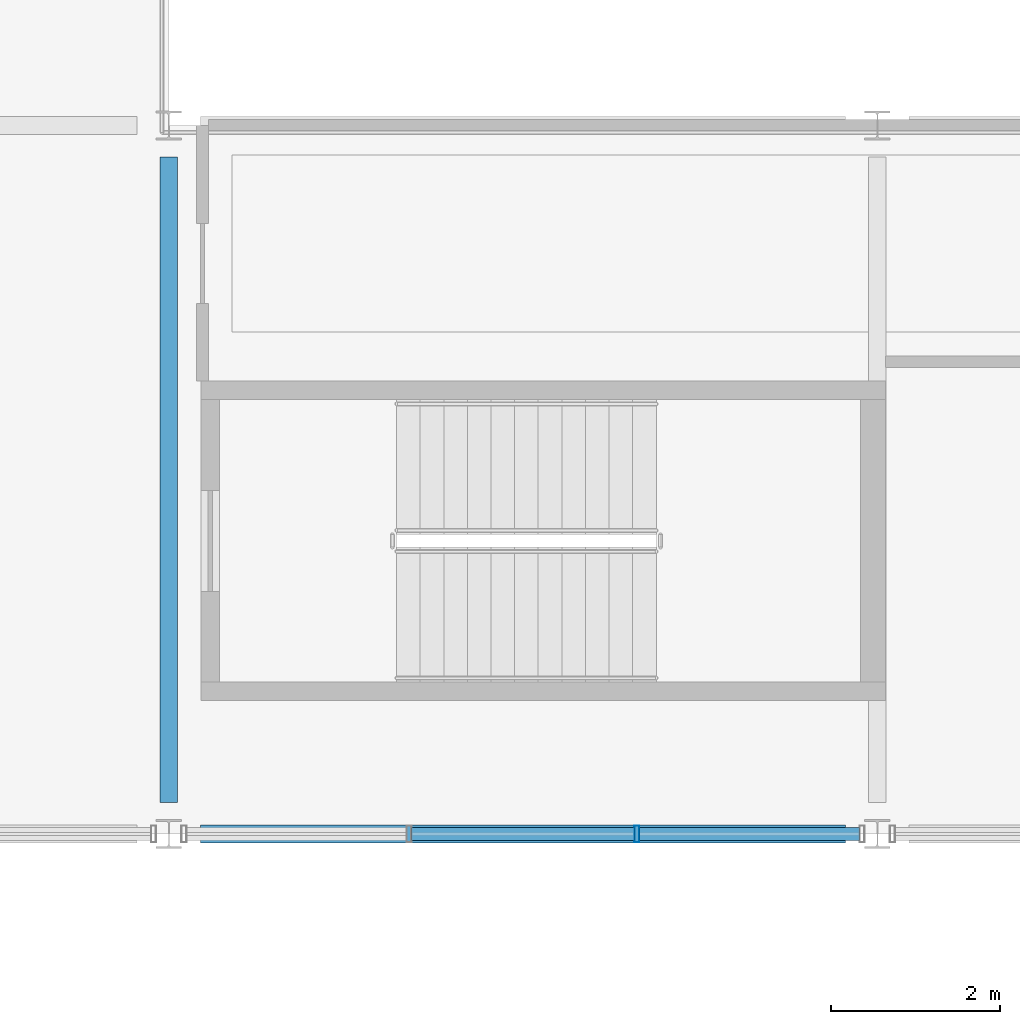
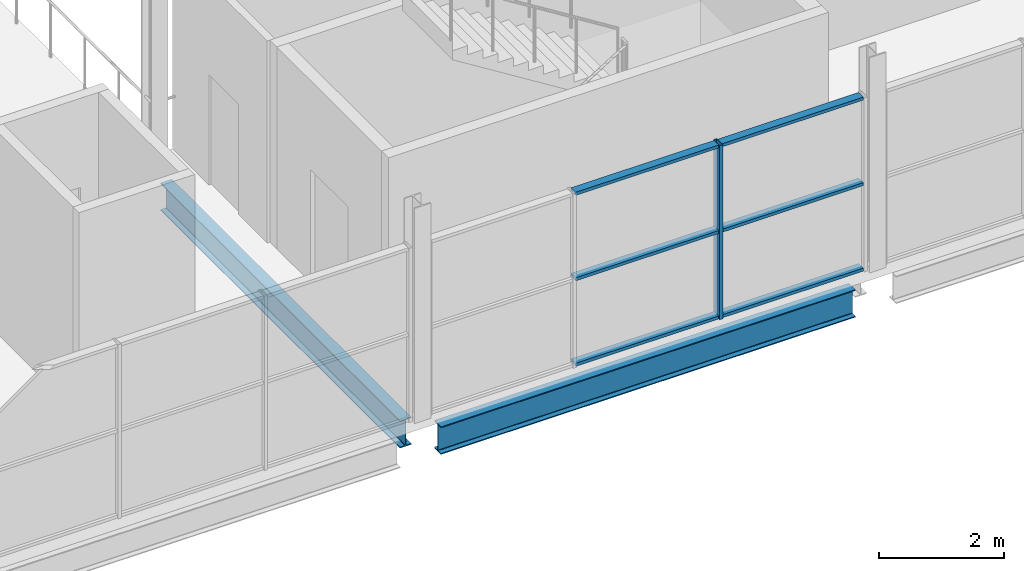
# One storey, part 23 of 161: 7 members, 2 beams, 1 element without a shape of its own.
"""IFC4 building model written with IfcOpenShell, lengths in metres."""

from ifc_helpers import new_model, si_unit, direction, frame, origin, origin_2d, place, context, subcontext, project, spatial, hollow_rectangle, i_section, extrude, material, material_profile, profile_set, type_object, element, aggregate, save


model = new_model("IFC4")

# Units and contexts
model_context = context("Model", 3, precision=1e-05, world=origin(), true_north=direction((0.0, 1.0)))
body_context = subcontext(model_context, "Body", "Model", "MODEL_VIEW")
ifc_project = project(units=[si_unit("LENGTHUNIT", "METRE"), si_unit("AREAUNIT", "SQUARE_METRE"), si_unit("VOLUMEUNIT", "CUBIC_METRE"), si_unit("PLANEANGLEUNIT", "RADIAN"), si_unit("MASSUNIT", "GRAM", prefix="KILO"), si_unit("THERMODYNAMICTEMPERATUREUNIT", "KELVIN")], contexts=[model_context])

# Site, building, storey
site_placement = place(None, origin())
site = spatial("IfcSite", under=ifc_project, at=site_placement, CompositionType="ELEMENT")
building_placement = place(site_placement, origin())
building = spatial("IfcBuilding", under=site, at=building_placement, Name="Nduvali Passage Aquatics Centre", CompositionType="ELEMENT")
storey_placement = place(building_placement, frame((0.0, 0.0, 4.800048828125)))
storey = spatial("IfcBuildingStorey", under=building, at=storey_placement, Name="L01", CompositionType="ELEMENT", Elevation=4.800048828125)

# Curtain wall, members
ifc_material_1 = material(Name="Aluminium EN AW-6063 T6", Category="aluminium")
curtain_wall_type = type_object("IfcCurtainWallType", Name="ENV-CW-DIVE", PredefinedType="NOTDEFINED", material=ifc_material_1)
curtain_wall_placement = place(storey_placement, origin())
curtain_wall = element("IfcCurtainWall", 1, at=curtain_wall_placement, inside=storey, type_object=curtain_wall_type, Name="L01 Diving Gallery Clerestory CW 149", PredefinedType="NOTDEFINED")
ifc_material_profile_1 = material_profile(ifc_material_1, hollow_rectangle(XDim=0.06005859375, YDim=0.199951171875, WallThickness=0.00390625, at=origin_2d()), Name="ALU MULLION 60x200x4")
ifc_profile_set_1 = profile_set([ifc_material_profile_1], Name="Aluminium EN AW-6063 T6")
member_type_1 = type_object("IfcMemberType", Name="ENV-MEM-MUL80", PredefinedType="MULLION", material=ifc_profile_set_1)
member_1_placement = place(storey_placement, frame((13.949951171875, 33.60009765625, 0.0), z_axis=(0.0, 0.0, 1.0), x_axis=(1.0, 0.0, 0.0)))
member_1 = element("IfcMember", 2, at=member_1_placement, type_object=member_type_1, Name="Diving Gallery Clerestory CW Mullion 3", PredefinedType="MULLION", context=body_context, shape_type="SweptSolid", body=[
    extrude(hollow_rectangle(XDim=0.06005859375, YDim=0.199951171875, WallThickness=0.00390625, at=origin_2d()), origin(), (0.0, 0.0, 1.0), 3.396484375),
])
ifc_material_profile_2 = material_profile(ifc_material_1, hollow_rectangle(XDim=0.14990234375, YDim=0.06005859375, WallThickness=0.00390625, at=origin_2d()), Name="ALU TRANSOM 150x60x4")
ifc_profile_set_2 = profile_set([ifc_material_profile_2], Name="Aluminium EN AW-6063 T6")
member_type_2 = type_object("IfcMemberType", Name="ENV-MEM-TRN80", PredefinedType="USERDEFINED", material=ifc_profile_set_2)
member_2_placement = place(storey_placement, frame((11.280029296875, 33.60009765625, 0.030029296875), z_axis=(1.0, 0.0, 0.0), x_axis=(0.0, 1.0, 0.0)))
member_2 = element("IfcMember", 3, at=member_2_placement, type_object=member_type_2, Name="Diving Gallery Clerestory CW Transom B2-R0", ObjectType="TRANSOM", PredefinedType="USERDEFINED", context=body_context, shape_type="SweptSolid", body=[
    extrude(hollow_rectangle(XDim=0.14990234375, YDim=0.06005859375, WallThickness=0.00390625, at=origin_2d()), origin(), (0.0, 0.0, 1.0), 2.639892578125),
])
member_3_placement = place(storey_placement, frame((11.280029296875, 33.60009765625, 1.6982421875), z_axis=(1.0, 0.0, 0.0), x_axis=(0.0, 1.0, 0.0)))
member_3 = element("IfcMember", 4, at=member_3_placement, type_object=member_type_2, Name="Diving Gallery Clerestory CW Transom B2-R1", ObjectType="TRANSOM", PredefinedType="USERDEFINED", context=body_context, shape_type="SweptSolid", body=[
    extrude(hollow_rectangle(XDim=0.14990234375, YDim=0.06005859375, WallThickness=0.00390625, at=origin_2d()), origin(), (0.0, 0.0, 1.0), 2.639892578125),
])
member_4_placement = place(storey_placement, frame((11.280029296875, 33.60009765625, 3.366455078125), z_axis=(1.0, 0.0, 0.0), x_axis=(0.0, 1.0, 0.0)))
member_4 = element("IfcMember", 5, at=member_4_placement, type_object=member_type_2, Name="Diving Gallery Clerestory CW Transom B2-R2", ObjectType="TRANSOM", PredefinedType="USERDEFINED", context=body_context, shape_type="SweptSolid", body=[
    extrude(hollow_rectangle(XDim=0.14990234375, YDim=0.06005859375, WallThickness=0.00390625, at=origin_2d()), origin(), (0.0, 0.0, 1.0), 2.639892578125),
])
member_5_placement = place(storey_placement, frame((13.97998046875, 33.60009765625, 0.030029296875), z_axis=(1.0, 0.0, 0.0), x_axis=(0.0, 1.0, 0.0)))
member_5 = element("IfcMember", 6, at=member_5_placement, type_object=member_type_2, Name="Diving Gallery Clerestory CW Transom B3-R0", ObjectType="TRANSOM", PredefinedType="USERDEFINED", context=body_context, shape_type="SweptSolid", body=[
    extrude(hollow_rectangle(XDim=0.14990234375, YDim=0.06005859375, WallThickness=0.00390625, at=origin_2d()), origin(), (0.0, 0.0, 1.0), 2.610107421875),
])
member_6_placement = place(storey_placement, frame((13.97998046875, 33.60009765625, 1.6982421875), z_axis=(1.0, 0.0, 0.0), x_axis=(0.0, 1.0, 0.0)))
member_6 = element("IfcMember", 7, at=member_6_placement, type_object=member_type_2, Name="Diving Gallery Clerestory CW Transom B3-R1", ObjectType="TRANSOM", PredefinedType="USERDEFINED", context=body_context, shape_type="SweptSolid", body=[
    extrude(hollow_rectangle(XDim=0.14990234375, YDim=0.06005859375, WallThickness=0.00390625, at=origin_2d()), origin(), (0.0, 0.0, 1.0), 2.610107421875),
])
member_7_placement = place(storey_placement, frame((13.97998046875, 33.60009765625, 3.366455078125), z_axis=(1.0, 0.0, 0.0), x_axis=(0.0, 1.0, 0.0)))
member_7 = element("IfcMember", 8, at=member_7_placement, type_object=member_type_2, Name="Diving Gallery Clerestory CW Transom B3-R2", ObjectType="TRANSOM", PredefinedType="USERDEFINED", context=body_context, shape_type="SweptSolid", body=[
    extrude(hollow_rectangle(XDim=0.14990234375, YDim=0.06005859375, WallThickness=0.00390625, at=origin_2d()), origin(), (0.0, 0.0, 1.0), 2.610107421875),
])
aggregate(curtain_wall, [member_1, member_2, member_3, member_4, member_5, member_6, member_7])

# Beams
ifc_material_2 = material(Name="Steel S355", Category="steel")
ifc_material_profile_3 = material_profile(ifc_material_2, i_section(OverallWidth=0.210693359375, OverallDepth=0.53955078125, WebThickness=0.01171875, FlangeThickness=0.018798828125, FilletRadius=0.0126953125, at=origin_2d()), Name="UKB 533x210x109")
ifc_profile_set_3 = profile_set([ifc_material_profile_3], Name="Steel S355")
beam_type = type_object("IfcBeamType", Name="STR-BM-UKB533", PredefinedType="BEAM", material=ifc_profile_set_3)
beam_1_placement = place(storey_placement, frame((8.77490234375, 33.60009765625, -0.553955078125), z_axis=(1.0, 0.0, 0.0), x_axis=(0.0, 1.0, 0.0)))
element("IfcBeam", 9, at=beam_1_placement, inside=storey, type_object=beam_type, Name="L01 Primary X-Girder B6-0457", PredefinedType="BEAM", context=body_context, shape_type="SweptSolid", body=[
    extrude(i_section(OverallWidth=0.210693359375, OverallDepth=0.53955078125, WebThickness=0.01171875, FlangeThickness=0.018798828125, FilletRadius=0.0126953125, at=origin_2d()), origin(), (0.0, 0.0, 1.0), 7.650146484375),
])
beam_2_placement = place(storey_placement, frame((8.39990234375, 33.97509765625, -0.553955078125), z_axis=(0.0, 1.0, 0.0), x_axis=(-1.0, 0.0, 0.0)))
element("IfcBeam", 10, at=beam_2_placement, inside=storey, type_object=beam_type, Name="L01 Primary Y-Girder B6-0564", PredefinedType="BEAM", context=body_context, shape_type="SweptSolid", body=[
    extrude(i_section(OverallWidth=0.210693359375, OverallDepth=0.53955078125, WebThickness=0.01171875, FlangeThickness=0.018798828125, FilletRadius=0.0126953125, at=origin_2d()), origin(), (0.0, 0.0, 1.0), 7.64990234375),
])

save(model, "model.ifc")
